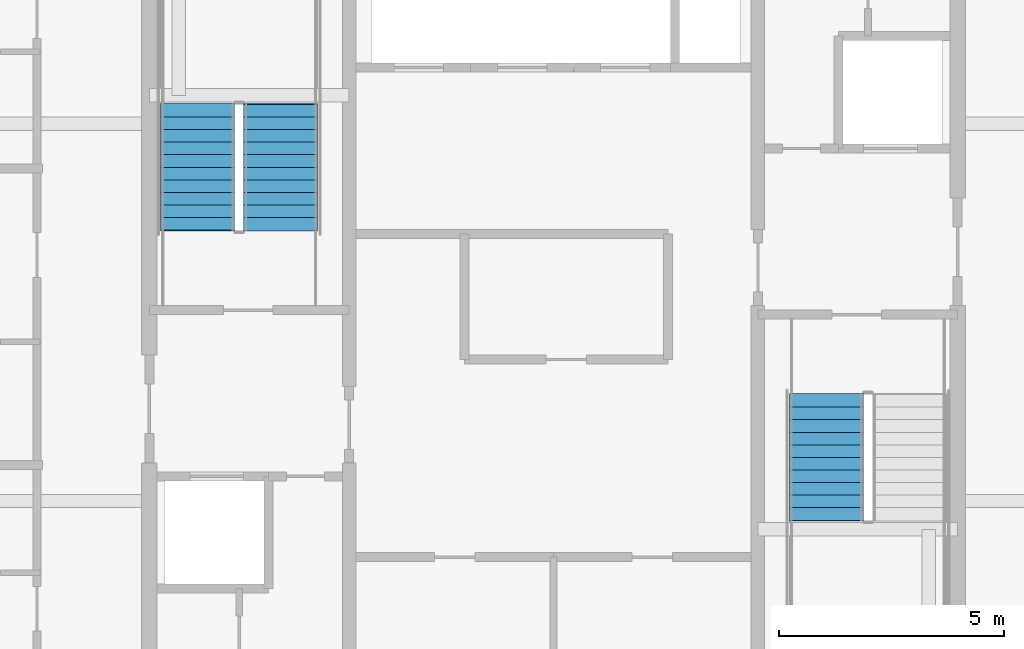
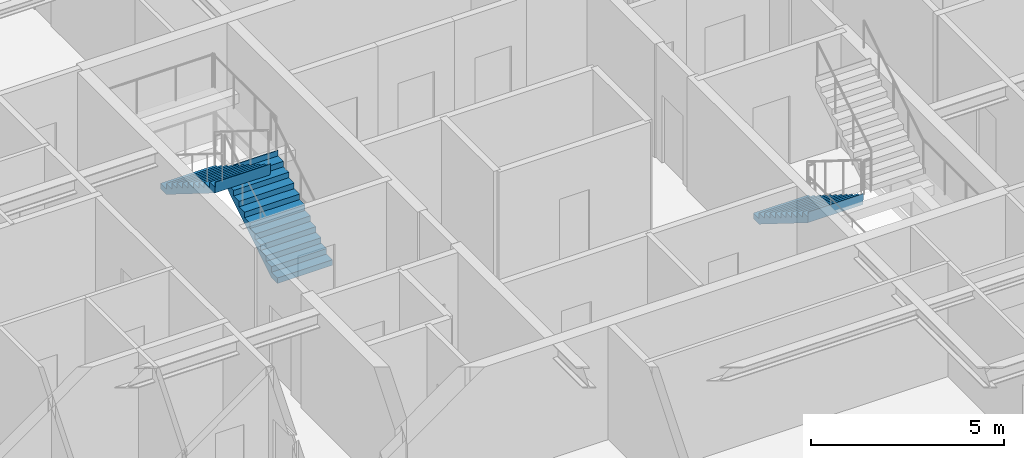
# One storey, part 32 of 38: 3 stair flights, 2 elements without a shape of their own.
"""IFC4 building model written with IfcOpenShell, lengths in metres."""

from ifc_helpers import new_model, si_unit, direction, frame, origin, place, context, subcontext, project, spatial, polygons, material, type_object, element, aggregate, save


model = new_model("IFC4")

# Units and contexts
model_context = context("Model", 3, precision=1e-05, world=origin(), true_north=direction((0.0, 1.0)))
body_context = subcontext(model_context, "Body", "Model", "MODEL_VIEW")
ifc_project = project(units=[si_unit("LENGTHUNIT", "METRE"), si_unit("AREAUNIT", "SQUARE_METRE"), si_unit("VOLUMEUNIT", "CUBIC_METRE"), si_unit("PLANEANGLEUNIT", "RADIAN"), si_unit("MASSUNIT", "GRAM", prefix="KILO")], contexts=[model_context])

# Site, building, storey
site_placement = place(None, origin())
site = spatial("IfcSite", under=ifc_project, at=site_placement, CompositionType="ELEMENT")
building_placement = place(site_placement, origin())
building = spatial("IfcBuilding", under=site, at=building_placement, Name="Serunith Strait Residences", CompositionType="ELEMENT")
storey_placement = place(building_placement, frame((0.0, 0.0, 237.39990234375)))
storey = spatial("IfcBuildingStorey", under=building, at=storey_placement, Name="L59", CompositionType="ELEMENT", Elevation=237.39990234375)

# Stair, stair flights
ifc_material = material(Name="Concrete C50/60", Category="concrete")
stair_type_1 = type_object("IfcStairType", Name="STR-CORE-1", PredefinedType="HALF_TURN_STAIR", material=ifc_material)
stair_1_placement = place(storey_placement, origin())
stair_1 = element("IfcStair", 1, at=stair_1_placement, inside=storey, type_object=stair_type_1, Name="L59 Protected Escape Stair ST-1", PredefinedType="HALF_TURN_STAIR")
stair_flight_type_1 = type_object("IfcStairFlightType", Name="FLT-CORE-1", PredefinedType="STRAIGHT", material=ifc_material)
stair_flight_1_placement = place(storey_placement, frame((26.324951171875, 27.030029296875, 0.0), z_axis=(0.0, 0.0, 1.0), x_axis=(0.0, 1.0, 0.0)))
stair_flight_1 = element("IfcStairFlight", 2, at=stair_flight_1_placement, type_object=stair_flight_type_1, Name="ST-1 flight 1", NumberOfRisers=11, NumberOfTreads=10, PredefinedType="STRAIGHT", RiserHeight=0.175, TreadLength=0.28, context=body_context, shape_type="Tessellation", body=[
    polygons([(-0.02001953125, -0.824951171875, 0.0), (-0.02001953125, -0.824951171875, 0.175048828125), (0.280029296875, -0.824951171875, 0.175048828125), (0.280029296875, -0.824951171875, 0.35009765625), (0.56005859375, -0.824951171875, 0.35009765625), (0.56005859375, -0.824951171875, 0.52490234375), (0.840087890625, -0.824951171875, 0.52490234375), (0.840087890625, -0.824951171875, 0.699951171875), (1.1201171875, -0.824951171875, 0.699951171875), (1.1201171875, -0.824951171875, 0.875), (1.39990234375, -0.824951171875, 0.875), (1.39990234375, -0.824951171875, 1.050048828125), (1.679931640625, -0.824951171875, 1.050048828125), (1.679931640625, -0.824951171875, 1.22509765625), (1.9599609375, -0.824951171875, 1.22509765625), (1.9599609375, -0.824951171875, 1.39990234375), (2.239990234375, -0.824951171875, 1.39990234375), (2.239990234375, -0.824951171875, 1.574951171875), (2.52001953125, -0.824951171875, 1.574951171875), (2.52001953125, -0.824951171875, 1.75), (2.800048828125, -0.824951171875, 1.75), (2.800048828125, -0.824951171875, 1.925048828125), (2.820068359375, -0.824951171875, 1.925048828125), (2.820068359375, -0.824951171875, 1.864990234375), (2.800048828125, -0.824951171875, 1.5732421875), (0.28271484375, -0.824951171875, 0.0), (-0.02001953125, -0.41259765625, 0.0), (-0.02001953125, -0.41259765625, 0.175048828125), (0.280029296875, -0.41259765625, 0.175048828125), (0.280029296875, -0.41259765625, 0.35009765625), (0.56005859375, -0.41259765625, 0.35009765625), (0.56005859375, -0.41259765625, 0.52490234375), (0.840087890625, -0.41259765625, 0.52490234375), (0.840087890625, -0.41259765625, 0.699951171875), (1.1201171875, -0.41259765625, 0.699951171875), (1.1201171875, -0.41259765625, 0.875), (1.39990234375, -0.41259765625, 0.875), (1.39990234375, -0.41259765625, 1.050048828125), (1.679931640625, -0.41259765625, 1.050048828125), (1.679931640625, -0.41259765625, 1.22509765625), (1.9599609375, -0.41259765625, 1.22509765625), (1.9599609375, -0.41259765625, 1.39990234375), (2.239990234375, -0.41259765625, 1.39990234375), (2.239990234375, -0.41259765625, 1.574951171875), (2.52001953125, -0.41259765625, 1.574951171875), (2.52001953125, -0.41259765625, 1.75), (2.800048828125, -0.41259765625, 1.75), (2.800048828125, -0.41259765625, 1.925048828125), (2.820068359375, -0.41259765625, 1.925048828125), (2.820068359375, -0.41259765625, 1.864990234375), (2.800048828125, -0.41259765625, 1.5732421875), (0.28271484375, -0.41259765625, 0.0), (-0.02001953125, 0.0, 0.0), (-0.02001953125, 0.0, 0.175048828125), (0.280029296875, 0.0, 0.175048828125), (0.280029296875, 0.0, 0.35009765625), (0.56005859375, 0.0, 0.35009765625), (0.56005859375, 0.0, 0.52490234375), (0.840087890625, 0.0, 0.52490234375), (0.840087890625, 0.0, 0.699951171875), (1.1201171875, 0.0, 0.699951171875), (1.1201171875, 0.0, 0.875), (1.39990234375, 0.0, 0.875), (1.39990234375, 0.0, 1.050048828125), (1.679931640625, 0.0, 1.050048828125), (1.679931640625, 0.0, 1.22509765625), (1.9599609375, 0.0, 1.22509765625), (1.9599609375, 0.0, 1.39990234375), (2.239990234375, 0.0, 1.39990234375), (2.239990234375, 0.0, 1.574951171875), (2.52001953125, 0.0, 1.574951171875), (2.52001953125, 0.0, 1.75), (2.800048828125, 0.0, 1.75), (2.800048828125, 0.0, 1.925048828125), (2.820068359375, 0.0, 1.925048828125), (2.820068359375, 0.0, 1.864990234375), (2.800048828125, 0.0, 1.5732421875), (0.28271484375, 0.0, 0.0), (-0.02001953125, 0.41259765625, 0.0), (-0.02001953125, 0.41259765625, 0.175048828125), (0.280029296875, 0.41259765625, 0.175048828125), (0.280029296875, 0.41259765625, 0.35009765625), (0.56005859375, 0.41259765625, 0.35009765625), (0.56005859375, 0.41259765625, 0.52490234375), (0.840087890625, 0.41259765625, 0.52490234375), (0.840087890625, 0.41259765625, 0.699951171875), (1.1201171875, 0.41259765625, 0.699951171875), (1.1201171875, 0.41259765625, 0.875), (1.39990234375, 0.41259765625, 0.875), (1.39990234375, 0.41259765625, 1.050048828125), (1.679931640625, 0.41259765625, 1.050048828125), (1.679931640625, 0.41259765625, 1.22509765625), (1.9599609375, 0.41259765625, 1.22509765625), (1.9599609375, 0.41259765625, 1.39990234375), (2.239990234375, 0.41259765625, 1.39990234375), (2.239990234375, 0.41259765625, 1.574951171875), (2.52001953125, 0.41259765625, 1.574951171875), (2.52001953125, 0.41259765625, 1.75), (2.800048828125, 0.41259765625, 1.75), (2.800048828125, 0.41259765625, 1.925048828125), (2.820068359375, 0.41259765625, 1.925048828125), (2.820068359375, 0.41259765625, 1.864990234375), (2.800048828125, 0.41259765625, 1.5732421875), (0.28271484375, 0.41259765625, 0.0), (-0.02001953125, 0.824951171875, 0.0), (-0.02001953125, 0.824951171875, 0.175048828125), (0.280029296875, 0.824951171875, 0.175048828125), (0.280029296875, 0.824951171875, 0.35009765625), (0.56005859375, 0.824951171875, 0.35009765625), (0.56005859375, 0.824951171875, 0.52490234375), (0.840087890625, 0.824951171875, 0.52490234375), (0.840087890625, 0.824951171875, 0.699951171875), (1.1201171875, 0.824951171875, 0.699951171875), (1.1201171875, 0.824951171875, 0.875), (1.39990234375, 0.824951171875, 0.875), (1.39990234375, 0.824951171875, 1.050048828125), (1.679931640625, 0.824951171875, 1.050048828125), (1.679931640625, 0.824951171875, 1.22509765625), (1.9599609375, 0.824951171875, 1.22509765625), (1.9599609375, 0.824951171875, 1.39990234375), (2.239990234375, 0.824951171875, 1.39990234375), (2.239990234375, 0.824951171875, 1.574951171875), (2.52001953125, 0.824951171875, 1.574951171875), (2.52001953125, 0.824951171875, 1.75), (2.800048828125, 0.824951171875, 1.75), (2.800048828125, 0.824951171875, 1.925048828125), (2.820068359375, 0.824951171875, 1.925048828125), (2.820068359375, 0.824951171875, 1.864990234375), (2.800048828125, 0.824951171875, 1.5732421875), (0.28271484375, 0.824951171875, 0.0)], [[[1, 2, 28, 27]], [[2, 3, 29, 28]], [[3, 4, 30, 29]], [[4, 5, 31, 30]], [[5, 6, 32, 31]], [[6, 7, 33, 32]], [[7, 8, 34, 33]], [[8, 9, 35, 34]], [[9, 10, 36, 35]], [[10, 11, 37, 36]], [[11, 12, 38, 37]], [[12, 13, 39, 38]], [[13, 14, 40, 39]], [[14, 15, 41, 40]], [[15, 16, 42, 41]], [[16, 17, 43, 42]], [[17, 18, 44, 43]], [[18, 19, 45, 44]], [[19, 20, 46, 45]], [[20, 21, 47, 46]], [[21, 22, 48, 47]], [[22, 23, 49, 48]], [[23, 24, 50, 49]], [[24, 25, 51, 50]], [[25, 26, 52, 51]], [[26, 1, 27, 52]], [[27, 28, 54, 53]], [[28, 29, 55, 54]], [[29, 30, 56, 55]], [[30, 31, 57, 56]], [[31, 32, 58, 57]], [[32, 33, 59, 58]], [[33, 34, 60, 59]], [[34, 35, 61, 60]], [[35, 36, 62, 61]], [[36, 37, 63, 62]], [[37, 38, 64, 63]], [[38, 39, 65, 64]], [[39, 40, 66, 65]], [[40, 41, 67, 66]], [[41, 42, 68, 67]], [[42, 43, 69, 68]], [[43, 44, 70, 69]], [[44, 45, 71, 70]], [[45, 46, 72, 71]], [[46, 47, 73, 72]], [[47, 48, 74, 73]], [[48, 49, 75, 74]], [[49, 50, 76, 75]], [[50, 51, 77, 76]], [[51, 52, 78, 77]], [[52, 27, 53, 78]], [[53, 54, 80, 79]], [[54, 55, 81, 80]], [[55, 56, 82, 81]], [[56, 57, 83, 82]], [[57, 58, 84, 83]], [[58, 59, 85, 84]], [[59, 60, 86, 85]], [[60, 61, 87, 86]], [[61, 62, 88, 87]], [[62, 63, 89, 88]], [[63, 64, 90, 89]], [[64, 65, 91, 90]], [[65, 66, 92, 91]], [[66, 67, 93, 92]], [[67, 68, 94, 93]], [[68, 69, 95, 94]], [[69, 70, 96, 95]], [[70, 71, 97, 96]], [[71, 72, 98, 97]], [[72, 73, 99, 98]], [[73, 74, 100, 99]], [[74, 75, 101, 100]], [[75, 76, 102, 101]], [[76, 77, 103, 102]], [[77, 78, 104, 103]], [[78, 53, 79, 104]], [[79, 80, 106, 105]], [[80, 81, 107, 106]], [[81, 82, 108, 107]], [[82, 83, 109, 108]], [[83, 84, 110, 109]], [[84, 85, 111, 110]], [[85, 86, 112, 111]], [[86, 87, 113, 112]], [[87, 88, 114, 113]], [[88, 89, 115, 114]], [[89, 90, 116, 115]], [[90, 91, 117, 116]], [[91, 92, 118, 117]], [[92, 93, 119, 118]], [[93, 94, 120, 119]], [[94, 95, 121, 120]], [[95, 96, 122, 121]], [[96, 97, 123, 122]], [[97, 98, 124, 123]], [[98, 99, 125, 124]], [[99, 100, 126, 125]], [[100, 101, 127, 126]], [[101, 102, 128, 127]], [[102, 103, 129, 128]], [[103, 104, 130, 129]], [[104, 79, 105, 130]], [[26, 25, 24, 23, 22, 21, 20, 19, 18, 17, 16, 15, 14, 13, 12, 11, 10, 9, 8, 7, 6, 5, 4, 3, 2, 1]], [[105, 106, 107, 108, 109, 110, 111, 112, 113, 114, 115, 116, 117, 118, 119, 120, 121, 122, 123, 124, 125, 126, 127, 128, 129, 130]]], closed=True),
])
stair_flight_2_placement = place(storey_placement, frame((24.47509765625, 29.830078125, 1.925048828125), z_axis=(0.0, 0.0, 1.0), x_axis=(0.0, -1.0, 0.0)))
stair_flight_2 = element("IfcStairFlight", 3, at=stair_flight_2_placement, type_object=stair_flight_type_1, Name="ST-1 flight 2", NumberOfRisers=11, NumberOfTreads=10, PredefinedType="STRAIGHT", RiserHeight=0.175, TreadLength=0.28, context=body_context, shape_type="Tessellation", body=[
    polygons([(-0.02001953125, -0.824951171875, 0.0), (-0.02001953125, -0.824951171875, 0.175048828125), (0.280029296875, -0.824951171875, 0.175048828125), (0.280029296875, -0.824951171875, 0.35009765625), (0.56005859375, -0.824951171875, 0.35009765625), (0.56005859375, -0.824951171875, 0.52490234375), (0.840087890625, -0.824951171875, 0.52490234375), (0.840087890625, -0.824951171875, 0.699951171875), (1.1201171875, -0.824951171875, 0.699951171875), (1.1201171875, -0.824951171875, 0.875), (1.39990234375, -0.824951171875, 0.875), (1.39990234375, -0.824951171875, 1.050048828125), (1.679931640625, -0.824951171875, 1.050048828125), (1.679931640625, -0.824951171875, 1.22509765625), (1.9599609375, -0.824951171875, 1.22509765625), (1.9599609375, -0.824951171875, 1.39990234375), (2.239990234375, -0.824951171875, 1.39990234375), (2.239990234375, -0.824951171875, 1.574951171875), (2.52001953125, -0.824951171875, 1.574951171875), (2.52001953125, -0.824951171875, 1.75), (2.800048828125, -0.824951171875, 1.75), (2.800048828125, -0.824951171875, 1.925048828125), (2.820068359375, -0.824951171875, 1.925048828125), (2.820068359375, -0.824951171875, 1.864990234375), (2.800048828125, -0.824951171875, 1.5732421875), (0.28271484375, -0.824951171875, 0.0), (-0.02001953125, -0.41259765625, 0.0), (-0.02001953125, -0.41259765625, 0.175048828125), (0.280029296875, -0.41259765625, 0.175048828125), (0.280029296875, -0.41259765625, 0.35009765625), (0.56005859375, -0.41259765625, 0.35009765625), (0.56005859375, -0.41259765625, 0.52490234375), (0.840087890625, -0.41259765625, 0.52490234375), (0.840087890625, -0.41259765625, 0.699951171875), (1.1201171875, -0.41259765625, 0.699951171875), (1.1201171875, -0.41259765625, 0.875), (1.39990234375, -0.41259765625, 0.875), (1.39990234375, -0.41259765625, 1.050048828125), (1.679931640625, -0.41259765625, 1.050048828125), (1.679931640625, -0.41259765625, 1.22509765625), (1.9599609375, -0.41259765625, 1.22509765625), (1.9599609375, -0.41259765625, 1.39990234375), (2.239990234375, -0.41259765625, 1.39990234375), (2.239990234375, -0.41259765625, 1.574951171875), (2.52001953125, -0.41259765625, 1.574951171875), (2.52001953125, -0.41259765625, 1.75), (2.800048828125, -0.41259765625, 1.75), (2.800048828125, -0.41259765625, 1.925048828125), (2.820068359375, -0.41259765625, 1.925048828125), (2.820068359375, -0.41259765625, 1.864990234375), (2.800048828125, -0.41259765625, 1.5732421875), (0.28271484375, -0.41259765625, 0.0), (-0.02001953125, 0.0, 0.0), (-0.02001953125, 0.0, 0.175048828125), (0.280029296875, 0.0, 0.175048828125), (0.280029296875, 0.0, 0.35009765625), (0.56005859375, 0.0, 0.35009765625), (0.56005859375, 0.0, 0.52490234375), (0.840087890625, 0.0, 0.52490234375), (0.840087890625, 0.0, 0.699951171875), (1.1201171875, 0.0, 0.699951171875), (1.1201171875, 0.0, 0.875), (1.39990234375, 0.0, 0.875), (1.39990234375, 0.0, 1.050048828125), (1.679931640625, 0.0, 1.050048828125), (1.679931640625, 0.0, 1.22509765625), (1.9599609375, 0.0, 1.22509765625), (1.9599609375, 0.0, 1.39990234375), (2.239990234375, 0.0, 1.39990234375), (2.239990234375, 0.0, 1.574951171875), (2.52001953125, 0.0, 1.574951171875), (2.52001953125, 0.0, 1.75), (2.800048828125, 0.0, 1.75), (2.800048828125, 0.0, 1.925048828125), (2.820068359375, 0.0, 1.925048828125), (2.820068359375, 0.0, 1.864990234375), (2.800048828125, 0.0, 1.5732421875), (0.28271484375, 0.0, 0.0), (-0.02001953125, 0.41259765625, 0.0), (-0.02001953125, 0.41259765625, 0.175048828125), (0.280029296875, 0.41259765625, 0.175048828125), (0.280029296875, 0.41259765625, 0.35009765625), (0.56005859375, 0.41259765625, 0.35009765625), (0.56005859375, 0.41259765625, 0.52490234375), (0.840087890625, 0.41259765625, 0.52490234375), (0.840087890625, 0.41259765625, 0.699951171875), (1.1201171875, 0.41259765625, 0.699951171875), (1.1201171875, 0.41259765625, 0.875), (1.39990234375, 0.41259765625, 0.875), (1.39990234375, 0.41259765625, 1.050048828125), (1.679931640625, 0.41259765625, 1.050048828125), (1.679931640625, 0.41259765625, 1.22509765625), (1.9599609375, 0.41259765625, 1.22509765625), (1.9599609375, 0.41259765625, 1.39990234375), (2.239990234375, 0.41259765625, 1.39990234375), (2.239990234375, 0.41259765625, 1.574951171875), (2.52001953125, 0.41259765625, 1.574951171875), (2.52001953125, 0.41259765625, 1.75), (2.800048828125, 0.41259765625, 1.75), (2.800048828125, 0.41259765625, 1.925048828125), (2.820068359375, 0.41259765625, 1.925048828125), (2.820068359375, 0.41259765625, 1.864990234375), (2.800048828125, 0.41259765625, 1.5732421875), (0.28271484375, 0.41259765625, 0.0), (-0.02001953125, 0.824951171875, 0.0), (-0.02001953125, 0.824951171875, 0.175048828125), (0.280029296875, 0.824951171875, 0.175048828125), (0.280029296875, 0.824951171875, 0.35009765625), (0.56005859375, 0.824951171875, 0.35009765625), (0.56005859375, 0.824951171875, 0.52490234375), (0.840087890625, 0.824951171875, 0.52490234375), (0.840087890625, 0.824951171875, 0.699951171875), (1.1201171875, 0.824951171875, 0.699951171875), (1.1201171875, 0.824951171875, 0.875), (1.39990234375, 0.824951171875, 0.875), (1.39990234375, 0.824951171875, 1.050048828125), (1.679931640625, 0.824951171875, 1.050048828125), (1.679931640625, 0.824951171875, 1.22509765625), (1.9599609375, 0.824951171875, 1.22509765625), (1.9599609375, 0.824951171875, 1.39990234375), (2.239990234375, 0.824951171875, 1.39990234375), (2.239990234375, 0.824951171875, 1.574951171875), (2.52001953125, 0.824951171875, 1.574951171875), (2.52001953125, 0.824951171875, 1.75), (2.800048828125, 0.824951171875, 1.75), (2.800048828125, 0.824951171875, 1.925048828125), (2.820068359375, 0.824951171875, 1.925048828125), (2.820068359375, 0.824951171875, 1.864990234375), (2.800048828125, 0.824951171875, 1.5732421875), (0.28271484375, 0.824951171875, 0.0)], [[[1, 2, 28, 27]], [[2, 3, 29, 28]], [[3, 4, 30, 29]], [[4, 5, 31, 30]], [[5, 6, 32, 31]], [[6, 7, 33, 32]], [[7, 8, 34, 33]], [[8, 9, 35, 34]], [[9, 10, 36, 35]], [[10, 11, 37, 36]], [[11, 12, 38, 37]], [[12, 13, 39, 38]], [[13, 14, 40, 39]], [[14, 15, 41, 40]], [[15, 16, 42, 41]], [[16, 17, 43, 42]], [[17, 18, 44, 43]], [[18, 19, 45, 44]], [[19, 20, 46, 45]], [[20, 21, 47, 46]], [[21, 22, 48, 47]], [[22, 23, 49, 48]], [[23, 24, 50, 49]], [[24, 25, 51, 50]], [[25, 26, 52, 51]], [[26, 1, 27, 52]], [[27, 28, 54, 53]], [[28, 29, 55, 54]], [[29, 30, 56, 55]], [[30, 31, 57, 56]], [[31, 32, 58, 57]], [[32, 33, 59, 58]], [[33, 34, 60, 59]], [[34, 35, 61, 60]], [[35, 36, 62, 61]], [[36, 37, 63, 62]], [[37, 38, 64, 63]], [[38, 39, 65, 64]], [[39, 40, 66, 65]], [[40, 41, 67, 66]], [[41, 42, 68, 67]], [[42, 43, 69, 68]], [[43, 44, 70, 69]], [[44, 45, 71, 70]], [[45, 46, 72, 71]], [[46, 47, 73, 72]], [[47, 48, 74, 73]], [[48, 49, 75, 74]], [[49, 50, 76, 75]], [[50, 51, 77, 76]], [[51, 52, 78, 77]], [[52, 27, 53, 78]], [[53, 54, 80, 79]], [[54, 55, 81, 80]], [[55, 56, 82, 81]], [[56, 57, 83, 82]], [[57, 58, 84, 83]], [[58, 59, 85, 84]], [[59, 60, 86, 85]], [[60, 61, 87, 86]], [[61, 62, 88, 87]], [[62, 63, 89, 88]], [[63, 64, 90, 89]], [[64, 65, 91, 90]], [[65, 66, 92, 91]], [[66, 67, 93, 92]], [[67, 68, 94, 93]], [[68, 69, 95, 94]], [[69, 70, 96, 95]], [[70, 71, 97, 96]], [[71, 72, 98, 97]], [[72, 73, 99, 98]], [[73, 74, 100, 99]], [[74, 75, 101, 100]], [[75, 76, 102, 101]], [[76, 77, 103, 102]], [[77, 78, 104, 103]], [[78, 53, 79, 104]], [[79, 80, 106, 105]], [[80, 81, 107, 106]], [[81, 82, 108, 107]], [[82, 83, 109, 108]], [[83, 84, 110, 109]], [[84, 85, 111, 110]], [[85, 86, 112, 111]], [[86, 87, 113, 112]], [[87, 88, 114, 113]], [[88, 89, 115, 114]], [[89, 90, 116, 115]], [[90, 91, 117, 116]], [[91, 92, 118, 117]], [[92, 93, 119, 118]], [[93, 94, 120, 119]], [[94, 95, 121, 120]], [[95, 96, 122, 121]], [[96, 97, 123, 122]], [[97, 98, 124, 123]], [[98, 99, 125, 124]], [[99, 100, 126, 125]], [[100, 101, 127, 126]], [[101, 102, 128, 127]], [[102, 103, 129, 128]], [[103, 104, 130, 129]], [[104, 79, 105, 130]], [[26, 25, 24, 23, 22, 21, 20, 19, 18, 17, 16, 15, 14, 13, 12, 11, 10, 9, 8, 7, 6, 5, 4, 3, 2, 1]], [[105, 106, 107, 108, 109, 110, 111, 112, 113, 114, 115, 116, 117, 118, 119, 120, 121, 122, 123, 124, 125, 126, 127, 128, 129, 130]]], closed=True),
])
aggregate(stair_1, [stair_flight_1, stair_flight_2])

# Stair, stair flight
stair_type_2 = type_object("IfcStairType", Name="STR-CORE-2", PredefinedType="HALF_TURN_STAIR", material=ifc_material)
stair_2_placement = place(storey_placement, origin())
stair_2 = element("IfcStair", 4, at=stair_2_placement, inside=storey, type_object=stair_type_2, Name="L59 Protected Escape Stair ST-2", PredefinedType="HALF_TURN_STAIR")
stair_flight_type_2 = type_object("IfcStairFlightType", Name="FLT-CORE-2", PredefinedType="STRAIGHT", material=ifc_material)
stair_flight_3_placement = place(storey_placement, frame((38.47509765625, 23.3701171875, 0.0), z_axis=(0.0, 0.0, 1.0), x_axis=(0.0, -1.0, 0.0)))
stair_flight_3 = element("IfcStairFlight", 5, at=stair_flight_3_placement, type_object=stair_flight_type_2, Name="ST-2 flight 1", NumberOfRisers=11, NumberOfTreads=10, PredefinedType="STRAIGHT", RiserHeight=0.175, TreadLength=0.28, context=body_context, shape_type="Tessellation", body=[
    polygons([(-0.02001953125, -0.824951171875, 0.0), (-0.02001953125, -0.824951171875, 0.175048828125), (0.280029296875, -0.824951171875, 0.175048828125), (0.280029296875, -0.824951171875, 0.35009765625), (0.56005859375, -0.824951171875, 0.35009765625), (0.56005859375, -0.824951171875, 0.52490234375), (0.840087890625, -0.824951171875, 0.52490234375), (0.840087890625, -0.824951171875, 0.699951171875), (1.1201171875, -0.824951171875, 0.699951171875), (1.1201171875, -0.824951171875, 0.875), (1.39990234375, -0.824951171875, 0.875), (1.39990234375, -0.824951171875, 1.050048828125), (1.679931640625, -0.824951171875, 1.050048828125), (1.679931640625, -0.824951171875, 1.22509765625), (1.9599609375, -0.824951171875, 1.22509765625), (1.9599609375, -0.824951171875, 1.39990234375), (2.239990234375, -0.824951171875, 1.39990234375), (2.239990234375, -0.824951171875, 1.574951171875), (2.52001953125, -0.824951171875, 1.574951171875), (2.52001953125, -0.824951171875, 1.75), (2.800048828125, -0.824951171875, 1.75), (2.800048828125, -0.824951171875, 1.925048828125), (2.820068359375, -0.824951171875, 1.925048828125), (2.820068359375, -0.824951171875, 1.864990234375), (2.800048828125, -0.824951171875, 1.5732421875), (0.28271484375, -0.824951171875, 0.0), (-0.02001953125, -0.41259765625, 0.0), (-0.02001953125, -0.41259765625, 0.175048828125), (0.280029296875, -0.41259765625, 0.175048828125), (0.280029296875, -0.41259765625, 0.35009765625), (0.56005859375, -0.41259765625, 0.35009765625), (0.56005859375, -0.41259765625, 0.52490234375), (0.840087890625, -0.41259765625, 0.52490234375), (0.840087890625, -0.41259765625, 0.699951171875), (1.1201171875, -0.41259765625, 0.699951171875), (1.1201171875, -0.41259765625, 0.875), (1.39990234375, -0.41259765625, 0.875), (1.39990234375, -0.41259765625, 1.050048828125), (1.679931640625, -0.41259765625, 1.050048828125), (1.679931640625, -0.41259765625, 1.22509765625), (1.9599609375, -0.41259765625, 1.22509765625), (1.9599609375, -0.41259765625, 1.39990234375), (2.239990234375, -0.41259765625, 1.39990234375), (2.239990234375, -0.41259765625, 1.574951171875), (2.52001953125, -0.41259765625, 1.574951171875), (2.52001953125, -0.41259765625, 1.75), (2.800048828125, -0.41259765625, 1.75), (2.800048828125, -0.41259765625, 1.925048828125), (2.820068359375, -0.41259765625, 1.925048828125), (2.820068359375, -0.41259765625, 1.864990234375), (2.800048828125, -0.41259765625, 1.5732421875), (0.28271484375, -0.41259765625, 0.0), (-0.02001953125, 0.0, 0.0), (-0.02001953125, 0.0, 0.175048828125), (0.280029296875, 0.0, 0.175048828125), (0.280029296875, 0.0, 0.35009765625), (0.56005859375, 0.0, 0.35009765625), (0.56005859375, 0.0, 0.52490234375), (0.840087890625, 0.0, 0.52490234375), (0.840087890625, 0.0, 0.699951171875), (1.1201171875, 0.0, 0.699951171875), (1.1201171875, 0.0, 0.875), (1.39990234375, 0.0, 0.875), (1.39990234375, 0.0, 1.050048828125), (1.679931640625, 0.0, 1.050048828125), (1.679931640625, 0.0, 1.22509765625), (1.9599609375, 0.0, 1.22509765625), (1.9599609375, 0.0, 1.39990234375), (2.239990234375, 0.0, 1.39990234375), (2.239990234375, 0.0, 1.574951171875), (2.52001953125, 0.0, 1.574951171875), (2.52001953125, 0.0, 1.75), (2.800048828125, 0.0, 1.75), (2.800048828125, 0.0, 1.925048828125), (2.820068359375, 0.0, 1.925048828125), (2.820068359375, 0.0, 1.864990234375), (2.800048828125, 0.0, 1.5732421875), (0.28271484375, 0.0, 0.0), (-0.02001953125, 0.41259765625, 0.0), (-0.02001953125, 0.41259765625, 0.175048828125), (0.280029296875, 0.41259765625, 0.175048828125), (0.280029296875, 0.41259765625, 0.35009765625), (0.56005859375, 0.41259765625, 0.35009765625), (0.56005859375, 0.41259765625, 0.52490234375), (0.840087890625, 0.41259765625, 0.52490234375), (0.840087890625, 0.41259765625, 0.699951171875), (1.1201171875, 0.41259765625, 0.699951171875), (1.1201171875, 0.41259765625, 0.875), (1.39990234375, 0.41259765625, 0.875), (1.39990234375, 0.41259765625, 1.050048828125), (1.679931640625, 0.41259765625, 1.050048828125), (1.679931640625, 0.41259765625, 1.22509765625), (1.9599609375, 0.41259765625, 1.22509765625), (1.9599609375, 0.41259765625, 1.39990234375), (2.239990234375, 0.41259765625, 1.39990234375), (2.239990234375, 0.41259765625, 1.574951171875), (2.52001953125, 0.41259765625, 1.574951171875), (2.52001953125, 0.41259765625, 1.75), (2.800048828125, 0.41259765625, 1.75), (2.800048828125, 0.41259765625, 1.925048828125), (2.820068359375, 0.41259765625, 1.925048828125), (2.820068359375, 0.41259765625, 1.864990234375), (2.800048828125, 0.41259765625, 1.5732421875), (0.28271484375, 0.41259765625, 0.0), (-0.02001953125, 0.824951171875, 0.0), (-0.02001953125, 0.824951171875, 0.175048828125), (0.280029296875, 0.824951171875, 0.175048828125), (0.280029296875, 0.824951171875, 0.35009765625), (0.56005859375, 0.824951171875, 0.35009765625), (0.56005859375, 0.824951171875, 0.52490234375), (0.840087890625, 0.824951171875, 0.52490234375), (0.840087890625, 0.824951171875, 0.699951171875), (1.1201171875, 0.824951171875, 0.699951171875), (1.1201171875, 0.824951171875, 0.875), (1.39990234375, 0.824951171875, 0.875), (1.39990234375, 0.824951171875, 1.050048828125), (1.679931640625, 0.824951171875, 1.050048828125), (1.679931640625, 0.824951171875, 1.22509765625), (1.9599609375, 0.824951171875, 1.22509765625), (1.9599609375, 0.824951171875, 1.39990234375), (2.239990234375, 0.824951171875, 1.39990234375), (2.239990234375, 0.824951171875, 1.574951171875), (2.52001953125, 0.824951171875, 1.574951171875), (2.52001953125, 0.824951171875, 1.75), (2.800048828125, 0.824951171875, 1.75), (2.800048828125, 0.824951171875, 1.925048828125), (2.820068359375, 0.824951171875, 1.925048828125), (2.820068359375, 0.824951171875, 1.864990234375), (2.800048828125, 0.824951171875, 1.5732421875), (0.28271484375, 0.824951171875, 0.0)], [[[1, 2, 28, 27]], [[2, 3, 29, 28]], [[3, 4, 30, 29]], [[4, 5, 31, 30]], [[5, 6, 32, 31]], [[6, 7, 33, 32]], [[7, 8, 34, 33]], [[8, 9, 35, 34]], [[9, 10, 36, 35]], [[10, 11, 37, 36]], [[11, 12, 38, 37]], [[12, 13, 39, 38]], [[13, 14, 40, 39]], [[14, 15, 41, 40]], [[15, 16, 42, 41]], [[16, 17, 43, 42]], [[17, 18, 44, 43]], [[18, 19, 45, 44]], [[19, 20, 46, 45]], [[20, 21, 47, 46]], [[21, 22, 48, 47]], [[22, 23, 49, 48]], [[23, 24, 50, 49]], [[24, 25, 51, 50]], [[25, 26, 52, 51]], [[26, 1, 27, 52]], [[27, 28, 54, 53]], [[28, 29, 55, 54]], [[29, 30, 56, 55]], [[30, 31, 57, 56]], [[31, 32, 58, 57]], [[32, 33, 59, 58]], [[33, 34, 60, 59]], [[34, 35, 61, 60]], [[35, 36, 62, 61]], [[36, 37, 63, 62]], [[37, 38, 64, 63]], [[38, 39, 65, 64]], [[39, 40, 66, 65]], [[40, 41, 67, 66]], [[41, 42, 68, 67]], [[42, 43, 69, 68]], [[43, 44, 70, 69]], [[44, 45, 71, 70]], [[45, 46, 72, 71]], [[46, 47, 73, 72]], [[47, 48, 74, 73]], [[48, 49, 75, 74]], [[49, 50, 76, 75]], [[50, 51, 77, 76]], [[51, 52, 78, 77]], [[52, 27, 53, 78]], [[53, 54, 80, 79]], [[54, 55, 81, 80]], [[55, 56, 82, 81]], [[56, 57, 83, 82]], [[57, 58, 84, 83]], [[58, 59, 85, 84]], [[59, 60, 86, 85]], [[60, 61, 87, 86]], [[61, 62, 88, 87]], [[62, 63, 89, 88]], [[63, 64, 90, 89]], [[64, 65, 91, 90]], [[65, 66, 92, 91]], [[66, 67, 93, 92]], [[67, 68, 94, 93]], [[68, 69, 95, 94]], [[69, 70, 96, 95]], [[70, 71, 97, 96]], [[71, 72, 98, 97]], [[72, 73, 99, 98]], [[73, 74, 100, 99]], [[74, 75, 101, 100]], [[75, 76, 102, 101]], [[76, 77, 103, 102]], [[77, 78, 104, 103]], [[78, 53, 79, 104]], [[79, 80, 106, 105]], [[80, 81, 107, 106]], [[81, 82, 108, 107]], [[82, 83, 109, 108]], [[83, 84, 110, 109]], [[84, 85, 111, 110]], [[85, 86, 112, 111]], [[86, 87, 113, 112]], [[87, 88, 114, 113]], [[88, 89, 115, 114]], [[89, 90, 116, 115]], [[90, 91, 117, 116]], [[91, 92, 118, 117]], [[92, 93, 119, 118]], [[93, 94, 120, 119]], [[94, 95, 121, 120]], [[95, 96, 122, 121]], [[96, 97, 123, 122]], [[97, 98, 124, 123]], [[98, 99, 125, 124]], [[99, 100, 126, 125]], [[100, 101, 127, 126]], [[101, 102, 128, 127]], [[102, 103, 129, 128]], [[103, 104, 130, 129]], [[104, 79, 105, 130]], [[26, 25, 24, 23, 22, 21, 20, 19, 18, 17, 16, 15, 14, 13, 12, 11, 10, 9, 8, 7, 6, 5, 4, 3, 2, 1]], [[105, 106, 107, 108, 109, 110, 111, 112, 113, 114, 115, 116, 117, 118, 119, 120, 121, 122, 123, 124, 125, 126, 127, 128, 129, 130]]], closed=True),
])
aggregate(stair_2, [stair_flight_3])

save(model, "model.ifc")
